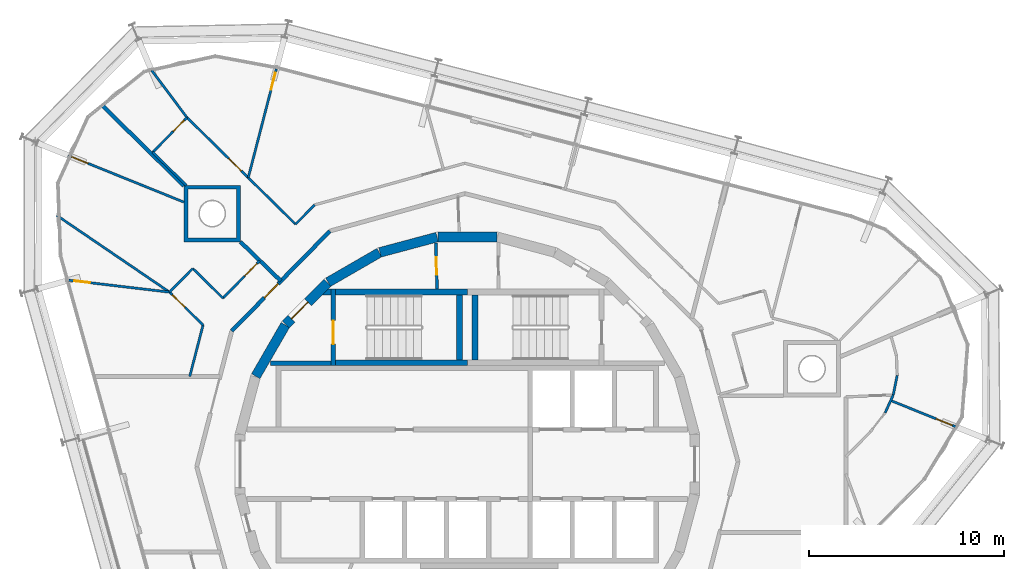
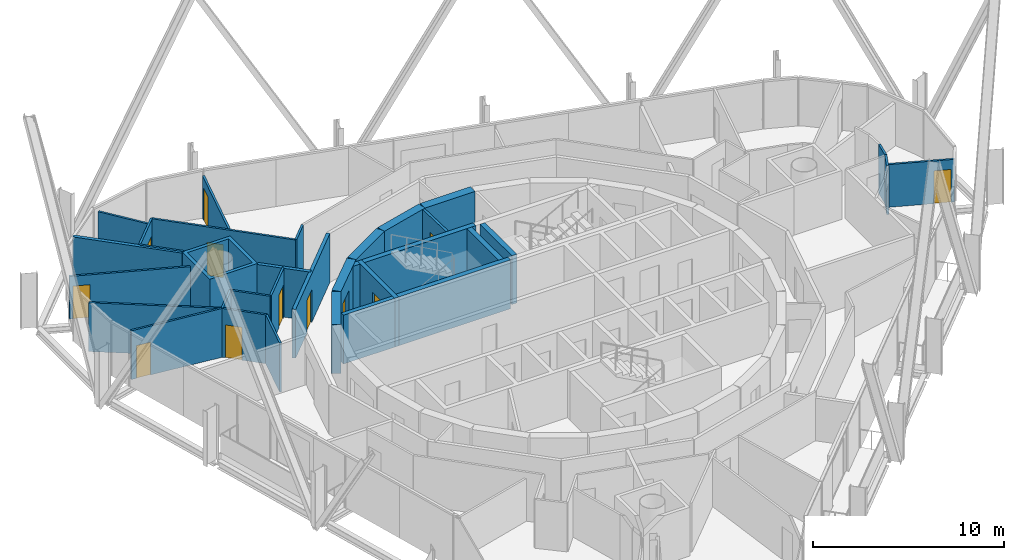
# One storey, part 12 of 15: 34 walls, 12 doors, 12 openings.
"""IFC4 building model written with IfcOpenShell, lengths in metres."""

from ifc_helpers import new_model, si_unit, direction, frame, frame_2d, origin, place, context, subcontext, project, spatial, polyline, rectangle, outline, extrude, material, layer, layer_set, type_object, element, fill, save


model = new_model("IFC4")

# Units and contexts
model_context = context("Model", 3, precision=1e-05, world=origin(), true_north=direction((0.0, 1.0)))
body_context = subcontext(model_context, "Body", "Model", "MODEL_VIEW")
ifc_project = project(units=[si_unit("LENGTHUNIT", "METRE"), si_unit("AREAUNIT", "SQUARE_METRE"), si_unit("VOLUMEUNIT", "CUBIC_METRE"), si_unit("PLANEANGLEUNIT", "RADIAN"), si_unit("MASSUNIT", "GRAM", prefix="KILO")], contexts=[model_context])

# Site, building, storey
site_placement = place(None, origin())
site = spatial("IfcSite", under=ifc_project, at=site_placement, CompositionType="ELEMENT")
building_placement = place(site_placement, origin())
building = spatial("IfcBuilding", under=site, at=building_placement, Name="Spindle Arch Residences", CompositionType="ELEMENT")
storey_placement = place(building_placement, frame((0.0, 0.0, 312.199951171875)))
storey = spatial("IfcBuildingStorey", under=building, at=storey_placement, Name="L80", CompositionType="ELEMENT", Elevation=312.199951171875)

# Walls
ifc_material_1 = material(Name="Concrete C50/60", Category="concrete")
ifc_layer_1 = layer(ifc_material_1, 0.5)
ifc_layer_set_1 = layer_set([ifc_layer_1], Name="Core outline wall 500")
wall_type_1 = type_object("IfcWallType", Name="Core outline wall 500", PredefinedType="SHEAR", material=ifc_layer_set_1)
for number, where, z_axis, x_axis, name in (
    (1, (1.516357421875, 11.647216796875, 0.0), (0.0, 0.0, 1.0), (-1.0, 0.0, 0.0), "Core outline wall 12"),
    (2, (-1.5498046875, 11.642822265625, 0.0), (0.0, 0.0, 1.0), (-0.965948410781, -0.258734743916, 0.0), "Core outline wall 13"),
    (3, (-4.510498046875, 10.84521484375, 0.0), (0.0, 0.0, 1.0), (-0.865975092491, -0.500087131594, 0.0), "Core outline wall 14"),
):
    element("IfcWall", number, at=place(storey_placement, frame(where, z_axis=z_axis, x_axis=x_axis)), inside=storey, type_object=wall_type_1, Name=name, PredefinedType="SHEAR", context=body_context, shape_type="SweptSolid", body=[
        extrude(rectangle(XDim=3.03271484375, YDim=0.5, at=frame_2d((1.516357421875, 0.0))), origin(), (0.0, 0.0, 1.0), 3.1201171875),
    ])

# Wall, opening, door
wall_1_placement = place(storey_placement, frame((-7.163818359375, 9.30810546875, 0.0), z_axis=(0.0, 0.0, 1.0), x_axis=(-0.707106781187, -0.707106781187, 0.0)))
wall_1 = element("IfcWall", 4, at=wall_1_placement, inside=storey, type_object=wall_type_1, Name="Core outline wall 15", PredefinedType="SHEAR", context=body_context, shape_type="SweptSolid", body=[
    extrude(rectangle(XDim=3.032470703125, YDim=0.5, at=frame_2d((1.51611328125, 0.0))), origin(), (0.0, 0.0, 1.0), 3.1201171875),
])
opening_1_placement = place(wall_1_placement, frame((1.416259765625, 0.0, 0.0)))
opening_1 = element("IfcOpeningElement", 5, at=opening_1_placement, cuts=wall_1, Name="Opening R8B0-AD02", PredefinedType="OPENING", context=body_context, shape_type="SweptSolid", body=[
    extrude(rectangle(XDim=1.199951171875, YDim=2.10009765625, at=frame_2d((0.60009765625, 1.050048828125))), frame((0.0, 0.260009765625, 0.0), z_axis=(0.0, -1.0, 0.0), x_axis=(1.0, 0.0, 0.0)), (0.0, 0.0, 1.0), 0.52001953125),
])
ifc_material_2 = material(Name="Steel, fire-resisting door", Category="steel")
door_type_1 = type_object("IfcDoorType", Name="Stair airlock door 1200x2100", OperationType="SINGLE_SWING_LEFT", PredefinedType="DOOR", material=ifc_material_2)
door_1_placement = place(opening_1_placement, origin())
door_1 = element("IfcDoor", 6, at=door_1_placement, inside=storey, type_object=door_type_1, Name="Stair airlock door R8B0-AD02", OperationType="SINGLE_SWING_RIGHT", OverallHeight=2.10009765625, OverallWidth=1.199951171875, PredefinedType="DOOR", context=body_context, shape_type="SweptSolid", body=[
    extrude(rectangle(XDim=1.199951171875, YDim=2.10009765625, at=frame_2d((0.60009765625, 1.050048828125))), frame((0.0, 0.02490234375, 0.0), z_axis=(0.0, -1.0, 0.0), x_axis=(1.0, 0.0, 0.0)), (0.0, 0.0, 1.0), 0.050048828125),
])
fill(opening_1, door_1)

# Wall
wall_2_placement = place(storey_placement, frame((-9.32861328125, 7.13671875, 0.0), z_axis=(0.0, 0.0, 1.0), x_axis=(-0.500087131594, -0.865975092491, 0.0)))
element("IfcWall", 7, at=wall_2_placement, inside=storey, type_object=wall_type_1, Name="Core outline wall 16", PredefinedType="SHEAR", context=body_context, shape_type="SweptSolid", body=[
    extrude(rectangle(XDim=3.03271484375, YDim=0.5, at=frame_2d((1.516357421875, 0.0))), origin(), (0.0, 0.0, 1.0), 3.1201171875),
])

# Wall, opening, door
ifc_material_3 = material(Name="Calcium silicate block, plastered")
ifc_layer_2 = layer(ifc_material_3, 0.199951171875)
ifc_layer_set_2 = layer_set([ifc_layer_2], Name="Corridor wall 200")
wall_type_2 = type_object("IfcWallType", Name="Corridor wall 200", PredefinedType="STANDARD", material=ifc_layer_set_2)
wall_3_placement = place(storey_placement, frame((-7.041015625, 11.953125, 0.0), z_axis=(0.0, 0.0, 1.0), x_axis=(-0.70090916255, -0.713250549143, 0.0)))
wall_3 = element("IfcWall", 8, at=wall_3_placement, inside=storey, type_object=wall_type_2, Name="Corridor wall R8B0-W012", PredefinedType="STANDARD", context=body_context, shape_type="SweptSolid", body=[
    extrude(rectangle(XDim=7.180908203125, YDim=0.199951171875, at=frame_2d((3.59033203125, 0.0))), origin(), (0.0, 0.0, 1.0), 3.1201171875),
])
opening_2_placement = place(wall_3_placement, frame((3.79052734375, 0.0, 0.0)))
opening_2 = element("IfcOpeningElement", 9, at=opening_2_placement, cuts=wall_3, Name="Opening R8B0-FD03", PredefinedType="OPENING", context=body_context, shape_type="SweptSolid", body=[
    extrude(rectangle(XDim=1.0, YDim=2.10009765625, at=frame_2d((0.5, 1.050048828125))), frame((0.0, 0.10986328125, 0.0), z_axis=(0.0, -1.0, 0.0), x_axis=(1.0, 0.0, 0.0)), (0.0, 0.0, 1.0), 0.219970703125),
])
ifc_material_4 = material(Name="Timber, fire-resisting door set", Category="wood")
door_type_2 = type_object("IfcDoorType", Name="Flat entrance door 1000x2100", OperationType="NOTDEFINED", PredefinedType="DOOR", material=ifc_material_4)
door_2_placement = place(opening_2_placement, origin())
door_2 = element("IfcDoor", 10, at=door_2_placement, inside=storey, type_object=door_type_2, Name="Flat entrance door R8B0-FD03", OperationType="SINGLE_SWING_LEFT", OverallHeight=2.10009765625, OverallWidth=1.0, PredefinedType="DOOR", context=body_context, shape_type="SweptSolid", body=[
    extrude(rectangle(XDim=1.0, YDim=2.10009765625, at=frame_2d((0.5, 1.050048828125))), frame((0.0, 0.02490234375, 0.0), z_axis=(0.0, -1.0, 0.0), x_axis=(1.0, 0.0, 0.0)), (0.0, 0.0, 1.0), 0.050048828125),
])
fill(opening_2, door_2)

# Wall
ifc_material_5 = material(Name="Plasterboard on steel studs", Category="steel")
ifc_layer_3 = layer(ifc_material_5, 0.1201171875)
ifc_layer_set_3 = layer_set([ifc_layer_3], Name="Flat partition 120")
wall_type_3 = type_object("IfcWallType", Name="Flat partition 120", PredefinedType="PARTITIONING", material=ifc_layer_set_3)
wall_4_placement = place(storey_placement, frame((-7.8291015625, 13.291259765625, 0.0), z_axis=(0.0, 0.0, 1.0), x_axis=(-0.700840583087, -0.713317935494, 0.0)))
element("IfcWall", 11, at=wall_4_placement, inside=storey, type_object=wall_type_3, Name="Flat partition R8B0-W043", PredefinedType="PARTITIONING", context=body_context, shape_type="SweptSolid", body=[
    extrude(rectangle(XDim=1.38916015625, YDim=0.1201171875, at=frame_2d((0.694580078125, 0.0))), origin(), (0.0, 0.0, 1.0), 3.1201171875),
])

# Wall, opening, door
wall_5_placement = place(storey_placement, frame((-8.802734375, 12.30029296875, 0.0), z_axis=(0.0, 0.0, 1.0), x_axis=(-0.713240430861, 0.700919458844, 0.0)))
wall_5 = element("IfcWall", 12, at=wall_5_placement, inside=storey, type_object=wall_type_3, Name="Flat partition R8B0-W044", PredefinedType="PARTITIONING", context=body_context, shape_type="SweptSolid", body=[
    extrude(rectangle(XDim=7.80712890625, YDim=0.1201171875, at=frame_2d((3.903564453125, 0.0))), origin(), (0.0, 0.0, 1.0), 3.1201171875),
])
opening_3_placement = place(wall_5_placement, frame((3.901123046875, 0.0, 0.0)))
opening_3 = element("IfcOpeningElement", 13, at=opening_3_placement, cuts=wall_5, Name="Opening R8B0-ID07", PredefinedType="OPENING", context=body_context, shape_type="SweptSolid", body=[
    extrude(rectangle(XDim=0.89990234375, YDim=2.10009765625, at=frame_2d((0.449951171875, 1.050048828125))), frame((0.0, 0.070068359375, 0.0), z_axis=(0.0, -1.0, 0.0), x_axis=(1.0, 0.0, 0.0)), (0.0, 0.0, 1.0), 0.14013671875),
])
ifc_material_6 = material(Name="Timber door set", Category="wood")
door_type_3 = type_object("IfcDoorType", Name="Room door 900x2100", OperationType="NOTDEFINED", PredefinedType="DOOR", material=ifc_material_6)
door_3_placement = place(opening_3_placement, origin())
door_3 = element("IfcDoor", 14, at=door_3_placement, inside=storey, type_object=door_type_3, Name="Room door R8B0-ID07", OperationType="SINGLE_SWING_LEFT", OverallHeight=2.10009765625, OverallWidth=0.89990234375, PredefinedType="DOOR", context=body_context, shape_type="SweptSolid", body=[
    extrude(rectangle(XDim=0.89990234375, YDim=2.10009765625, at=frame_2d((0.449951171875, 1.050048828125))), frame((0.0, 0.02490234375, 0.0), z_axis=(0.0, -1.0, 0.0), x_axis=(1.0, 0.0, 0.0)), (0.0, 0.0, 1.0), 0.050048828125),
])
fill(opening_3, door_3)

wall_6_placement = place(storey_placement, frame((-14.37109375, 17.7724609375, 0.0), z_axis=(0.0, 0.0, 1.0), x_axis=(-0.700928101034, -0.713231937859, 0.0)))
wall_6 = element("IfcWall", 15, at=wall_6_placement, inside=storey, type_object=wall_type_3, Name="Flat partition R8B0-W045", PredefinedType="PARTITIONING", context=body_context, shape_type="SweptSolid", body=[
    extrude(rectangle(XDim=2.500244140625, YDim=0.1201171875, at=frame_2d((1.25, 0.0))), origin(), (0.0, 0.0, 1.0), 3.1201171875),
])
opening_4_placement = place(wall_6_placement, frame((0.199951171875, 0.0, 0.0)))
opening_4 = element("IfcOpeningElement", 16, at=opening_4_placement, cuts=wall_6, Name="Opening R8B0-BD02", PredefinedType="OPENING", context=body_context, shape_type="SweptSolid", body=[
    extrude(rectangle(XDim=0.800048828125, YDim=2.10009765625, at=frame_2d((0.39990234375, 1.050048828125))), frame((0.0, 0.070068359375, 0.0), z_axis=(0.0, -1.0, 0.0), x_axis=(1.0, 0.0, 0.0)), (0.0, 0.0, 1.0), 0.14013671875),
])
ifc_material_7 = material(Name="Timber door set", Category="wood")
door_type_4 = type_object("IfcDoorType", Name="Bathroom door 800x2100", OperationType="NOTDEFINED", PredefinedType="DOOR", material=ifc_material_7)
door_4_placement = place(opening_4_placement, origin())
door_4 = element("IfcDoor", 17, at=door_4_placement, inside=storey, type_object=door_type_4, Name="Bathroom door R8B0-BD02", OperationType="SINGLE_SWING_RIGHT", OverallHeight=2.10009765625, OverallWidth=0.800048828125, PredefinedType="DOOR", context=body_context, shape_type="SweptSolid", body=[
    extrude(rectangle(XDim=0.800048828125, YDim=2.10009765625, at=frame_2d((0.39990234375, 1.050048828125))), frame((0.0, 0.02490234375, 0.0), z_axis=(0.0, -1.0, 0.0), x_axis=(1.0, 0.0, 0.0)), (0.0, 0.0, 1.0), 0.050048828125),
])
fill(opening_4, door_4)

# Wall
wall_7_placement = place(storey_placement, frame((-16.12353515625, 15.9892578125, 0.0), z_axis=(0.0, 0.0, 1.0), x_axis=(0.713298294795, -0.700860572898, 0.0)))
element("IfcWall", 18, at=wall_7_placement, inside=storey, type_object=wall_type_3, Name="Flat partition R8B0-W046", PredefinedType="PARTITIONING", context=body_context, shape_type="SweptSolid", body=[
    extrude(rectangle(XDim=2.414306640625, YDim=0.1201171875, at=frame_2d((1.20703125, 0.0))), origin(), (0.0, 0.0, 1.0), 3.1201171875),
])

# Wall, opening, door
wall_8_placement = place(storey_placement, frame((-10.64208984375, 10.4287109375, 0.0), z_axis=(0.0, 0.0, 1.0), x_axis=(-0.700897237058, -0.713262268092, 0.0)))
wall_8 = element("IfcWall", 19, at=wall_8_placement, inside=storey, type_object=wall_type_3, Name="Flat partition R8B0-W051", PredefinedType="PARTITIONING", context=body_context, shape_type="SweptSolid", body=[
    extrude(rectangle(XDim=2.685302734375, YDim=0.1201171875, at=frame_2d((1.3427734375, 0.0))), origin(), (0.0, 0.0, 1.0), 3.1201171875),
])
opening_5_placement = place(wall_8_placement, frame((0.199951171875, 0.0, 0.0)))
opening_5 = element("IfcOpeningElement", 20, at=opening_5_placement, cuts=wall_8, Name="Opening R8B0-ID09", PredefinedType="OPENING", context=body_context, shape_type="SweptSolid", body=[
    extrude(rectangle(XDim=0.89990234375, YDim=2.10009765625, at=frame_2d((0.449951171875, 1.050048828125))), frame((0.0, 0.070068359375, 0.0), z_axis=(0.0, -1.0, 0.0), x_axis=(1.0, 0.0, 0.0)), (0.0, 0.0, 1.0), 0.14013671875),
])
door_5_placement = place(opening_5_placement, origin())
door_5 = element("IfcDoor", 21, at=door_5_placement, inside=storey, type_object=door_type_3, Name="Room door R8B0-ID09", OperationType="SINGLE_SWING_LEFT", OverallHeight=2.10009765625, OverallWidth=0.89990234375, PredefinedType="DOOR", context=body_context, shape_type="SweptSolid", body=[
    extrude(rectangle(XDim=0.89990234375, YDim=2.10009765625, at=frame_2d((0.449951171875, 1.050048828125))), frame((0.0, 0.02490234375, 0.0), z_axis=(0.0, -1.0, 0.0), x_axis=(1.0, 0.0, 0.0)), (0.0, 0.0, 1.0), 0.050048828125),
])
fill(opening_5, door_5)

# Walls
wall_9_placement = place(storey_placement, frame((-12.524169921875, 8.513427734375, 0.0), z_axis=(0.0, 0.0, 1.0), x_axis=(-0.713272241211, 0.700887087852, 0.0)))
element("IfcWall", 22, at=wall_9_placement, inside=storey, type_object=wall_type_3, Name="Flat partition R8B0-W052", PredefinedType="PARTITIONING", context=body_context, shape_type="SweptSolid", body=[
    extrude(rectangle(XDim=2.16845703125, YDim=0.1201171875, at=frame_2d((1.084228515625, 0.0))), origin(), (0.0, 0.0, 1.0), 3.1201171875),
])
wall_10_placement = place(storey_placement, frame((-14.07080078125, 10.033203125, 0.0), z_axis=(0.0, 0.0, 1.0), x_axis=(-0.700903812832, -0.713255806255, 0.0)))
element("IfcWall", 23, at=wall_10_placement, inside=storey, type_object=wall_type_3, Name="Flat partition R8B0-W053", PredefinedType="PARTITIONING", context=body_context, shape_type="SweptSolid", body=[
    extrude(rectangle(XDim=1.69970703125, YDim=0.1201171875, at=frame_2d((0.849853515625, 0.0))), origin(), (0.0, 0.0, 1.0), 3.1201171875),
])

# Wall, opening, door
wall_11_placement = place(storey_placement, frame((-15.26220703125, 8.82080078125, 0.0), z_axis=(0.0, 0.0, 1.0), x_axis=(0.713216332019, -0.700943980459, 0.0)))
wall_11 = element("IfcWall", 24, at=wall_11_placement, inside=storey, type_object=wall_type_3, Name="Flat partition R8B0-W054", PredefinedType="PARTITIONING", context=body_context, shape_type="SweptSolid", body=[
    extrude(rectangle(XDim=2.4072265625, YDim=0.1201171875, at=frame_2d((1.20361328125, 0.0))), origin(), (0.0, 0.0, 1.0), 3.1201171875),
])
opening_6_placement = place(wall_11_placement, frame((0.199951171875, 0.0, 0.0)))
opening_6 = element("IfcOpeningElement", 25, at=opening_6_placement, cuts=wall_11, Name="Opening R8B0-ID10", PredefinedType="OPENING", context=body_context, shape_type="SweptSolid", body=[
    extrude(rectangle(XDim=0.89990234375, YDim=2.10009765625, at=frame_2d((0.449951171875, 1.050048828125))), frame((0.0, 0.070068359375, 0.0), z_axis=(0.0, -1.0, 0.0), x_axis=(1.0, 0.0, 0.0)), (0.0, 0.0, 1.0), 0.14013671875),
])
door_6_placement = place(opening_6_placement, origin())
door_6 = element("IfcDoor", 26, at=door_6_placement, inside=storey, type_object=door_type_3, Name="Room door R8B0-ID10", OperationType="SINGLE_SWING_LEFT", OverallHeight=2.10009765625, OverallWidth=0.89990234375, PredefinedType="DOOR", context=body_context, shape_type="SweptSolid", body=[
    extrude(rectangle(XDim=0.89990234375, YDim=2.10009765625, at=frame_2d((0.449951171875, 1.050048828125))), frame((0.0, 0.02490234375, 0.0), z_axis=(0.0, -1.0, 0.0), x_axis=(1.0, 0.0, 0.0)), (0.0, 0.0, 1.0), 0.050048828125),
])
fill(opening_6, door_6)

# Walls
wall_12_placement = place(storey_placement, frame((-13.54541015625, 7.133544921875, 0.0), z_axis=(0.0, 0.0, 1.0), x_axis=(-0.250320452157, -0.968163039592, 0.0)))
element("IfcWall", 27, at=wall_12_placement, inside=storey, type_object=wall_type_3, Name="Flat partition R8B0-W055", PredefinedType="PARTITIONING", context=body_context, shape_type="SweptSolid", body=[
    extrude(rectangle(XDim=2.72021484375, YDim=0.1201171875, at=frame_2d((1.360107421875, 0.0))), origin(), (0.0, 0.0, 1.0), 3.1201171875),
])
wall_13_placement = place(storey_placement, frame((-21.05078125, 12.760009765625, 0.0), z_axis=(0.0, 0.0, 1.0), x_axis=(0.826728647395, -0.562600874134, 0.0)))
element("IfcWall", 28, at=wall_13_placement, inside=storey, type_object=wall_type_3, Name="Flat partition R8B0-W057", PredefinedType="PARTITIONING", context=body_context, shape_type="SweptSolid", body=[
    extrude(rectangle(XDim=7.001708984375, YDim=0.1201171875, at=frame_2d((3.5009765625, 0.0))), origin(), (0.0, 0.0, 1.0), 3.1201171875),
])

# Wall, opening, door
wall_14_placement = place(storey_placement, frame((-20.427978515625, 9.431396484375, 0.0), z_axis=(0.0, 0.0, 1.0), x_axis=(0.993086702471, -0.117383139226, 0.0)))
wall_14 = element("IfcWall", 29, at=wall_14_placement, inside=storey, type_object=wall_type_3, Name="Flat partition R8B0-W058", PredefinedType="PARTITIONING", context=body_context, shape_type="SweptSolid", body=[
    extrude(rectangle(XDim=5.20166015625, YDim=0.1201171875, at=frame_2d((2.600830078125, 0.0))), origin(), (0.0, 0.0, 1.0), 3.1201171875),
])
opening_7_placement = place(wall_14_placement, frame((0.300048828125, 0.0, 0.0)))
opening_7 = element("IfcOpeningElement", 30, at=opening_7_placement, cuts=wall_14, Name="Opening R8B0-BD03", PredefinedType="OPENING", context=body_context, shape_type="SweptSolid", body=[
    extrude(rectangle(XDim=0.800048828125, YDim=2.10009765625, at=frame_2d((0.39990234375, 1.050048828125))), frame((0.0, 0.070068359375, 0.0), z_axis=(0.0, -1.0, 0.0), x_axis=(1.0, 0.0, 0.0)), (0.0, 0.0, 1.0), 0.14013671875),
])
door_7_placement = place(opening_7_placement, origin())
door_7 = element("IfcDoor", 31, at=door_7_placement, inside=storey, type_object=door_type_4, Name="Bathroom door R8B0-BD03", OperationType="SINGLE_SWING_LEFT", OverallHeight=2.10009765625, OverallWidth=0.800048828125, PredefinedType="DOOR", context=body_context, shape_type="SweptSolid", body=[
    extrude(rectangle(XDim=0.800048828125, YDim=2.10009765625, at=frame_2d((0.39990234375, 1.050048828125))), frame((0.0, 0.02490234375, 0.0), z_axis=(0.0, -1.0, 0.0), x_axis=(1.0, 0.0, 0.0)), (0.0, 0.0, 1.0), 0.050048828125),
])
fill(opening_7, door_7)

# Walls
wall_15_placement = place(storey_placement, frame((21.827880859375, 3.558349609375, 0.0), z_axis=(0.0, 0.0, 1.0), x_axis=(-0.414726005229, -0.909946339399, 0.0)))
element("IfcWall", 32, at=wall_15_placement, inside=storey, type_object=wall_type_3, Name="Flat partition R8B0-W079", PredefinedType="PARTITIONING", context=body_context, shape_type="SweptSolid", body=[
    extrude(rectangle(XDim=1.01611328125, YDim=0.1201171875, at=frame_2d((0.508056640625, 0.0))), origin(), (0.0, 0.0, 1.0), 3.1201171875),
])
wall_16_placement = place(storey_placement, frame((22.024658203125, 4.554931640625, 0.0), z_axis=(0.0, 0.0, 1.0), x_axis=(-0.193712169286, -0.981058405739, 0.0)))
element("IfcWall", 33, at=wall_16_placement, inside=storey, type_object=wall_type_3, Name="Flat partition R8B0-W086", PredefinedType="PARTITIONING", context=body_context, shape_type="SweptSolid", body=[
    extrude(rectangle(XDim=1.015869140625, YDim=0.1201171875, at=frame_2d((0.5078125, 0.0))), origin(), (0.0, 0.0, 1.0), 3.1201171875),
])

# Wall, opening, door
ifc_material_8 = material(Name="Plasterboard on steel studs", Category="steel")
ifc_layer_4 = layer(ifc_material_8, 0.1201171875)
ifc_layer_set_4 = layer_set([ifc_layer_4], Name="Flat partition 120 under beam 2730")
wall_type_4 = type_object("IfcWallType", Name="Flat partition 120 under beam 2730", PredefinedType="PARTITIONING", material=ifc_layer_set_4)
wall_17_placement = place(storey_placement, frame((-9.78662109375, 20.26025390625, 0.0), z_axis=(0.0, 0.0, 1.0), x_axis=(-0.250397207818, -0.968143191019, 0.0)))
wall_17 = element("IfcWall", 34, at=wall_17_placement, inside=storey, type_object=wall_type_4, Name="Flat partition R8B0-W049", PredefinedType="PARTITIONING", context=body_context, shape_type="SweptSolid", body=[
    extrude(rectangle(XDim=5.759521484375, YDim=0.1201171875, at=frame_2d((2.8798828125, 0.0))), origin(), (0.0, 0.0, 1.0), 2.72998046875),
])
opening_8_placement = place(wall_17_placement, frame((0.199951171875, 0.0, 0.0)))
opening_8 = element("IfcOpeningElement", 35, at=opening_8_placement, cuts=wall_17, Name="Opening R8B0-ID08", PredefinedType="OPENING", context=body_context, shape_type="SweptSolid", body=[
    extrude(rectangle(XDim=0.89990234375, YDim=2.10009765625, at=frame_2d((0.449951171875, 1.050048828125))), frame((0.0, 0.070068359375, 0.0), z_axis=(0.0, -1.0, 0.0), x_axis=(1.0, 0.0, 0.0)), (0.0, 0.0, 1.0), 0.14013671875),
])
door_8_placement = place(opening_8_placement, origin())
door_8 = element("IfcDoor", 36, at=door_8_placement, inside=storey, type_object=door_type_3, Name="Room door R8B0-ID08", OperationType="SINGLE_SWING_RIGHT", OverallHeight=2.10009765625, OverallWidth=0.89990234375, PredefinedType="DOOR", context=body_context, shape_type="SweptSolid", body=[
    extrude(rectangle(XDim=0.89990234375, YDim=2.10009765625, at=frame_2d((0.449951171875, 1.050048828125))), frame((0.0, 0.02490234375, 0.0), z_axis=(0.0, -1.0, 0.0), x_axis=(1.0, 0.0, 0.0)), (0.0, 0.0, 1.0), 0.050048828125),
])
fill(opening_8, door_8)

# Wall
wall_18_placement = place(storey_placement, frame((-16.177490234375, 20.183837890625, 0.0), z_axis=(0.0, 0.0, 1.0), x_axis=(0.599546131574, -0.800340200237, 0.0)))
element("IfcWall", 37, at=wall_18_placement, inside=storey, type_object=wall_type_4, Name="Flat partition R8B0-W050", PredefinedType="PARTITIONING", context=body_context, shape_type="SweptSolid", body=[
    extrude(rectangle(XDim=3.012939453125, YDim=0.1201171875, at=frame_2d((1.50634765625, 0.0))), origin(), (0.0, 0.0, 1.0), 2.72998046875),
])

# Wall, opening, door
wall_19_placement = place(storey_placement, frame((-20.46044921875, 15.83056640625, 0.0), z_axis=(0.0, 0.0, 1.0), x_axis=(0.927230380144, -0.374491417977, 0.0)))
wall_19 = element("IfcWall", 38, at=wall_19_placement, inside=storey, type_object=wall_type_4, Name="Flat partition R8B0-W056", PredefinedType="PARTITIONING", context=body_context, shape_type="SweptSolid", body=[
    extrude(rectangle(XDim=6.4033203125, YDim=0.1201171875, at=frame_2d((3.20166015625, 0.0))), origin(), (0.0, 0.0, 1.0), 2.72998046875),
])
opening_9_placement = place(wall_19_placement, frame((0.199951171875, 0.0, 0.0)))
opening_9 = element("IfcOpeningElement", 39, at=opening_9_placement, cuts=wall_19, Name="Opening R8B0-ID11", PredefinedType="OPENING", context=body_context, shape_type="SweptSolid", body=[
    extrude(rectangle(XDim=0.89990234375, YDim=2.10009765625, at=frame_2d((0.449951171875, 1.050048828125))), frame((0.0, 0.070068359375, 0.0), z_axis=(0.0, -1.0, 0.0), x_axis=(1.0, 0.0, 0.0)), (0.0, 0.0, 1.0), 0.14013671875),
])
door_9_placement = place(opening_9_placement, origin())
door_9 = element("IfcDoor", 40, at=door_9_placement, inside=storey, type_object=door_type_3, Name="Room door R8B0-ID11", OperationType="SINGLE_SWING_LEFT", OverallHeight=2.10009765625, OverallWidth=0.89990234375, PredefinedType="DOOR", context=body_context, shape_type="SweptSolid", body=[
    extrude(rectangle(XDim=0.89990234375, YDim=2.10009765625, at=frame_2d((0.449951171875, 1.050048828125))), frame((0.0, 0.02490234375, 0.0), z_axis=(0.0, -1.0, 0.0), x_axis=(1.0, 0.0, 0.0)), (0.0, 0.0, 1.0), 0.050048828125),
])
fill(opening_9, door_9)

wall_20_placement = place(storey_placement, frame((25.0361328125, 1.917236328125, 0.0), z_axis=(0.0, 0.0, 1.0), x_axis=(-0.927096540393, 0.374822631108, 0.0)))
wall_20 = element("IfcWall", 41, at=wall_20_placement, inside=storey, type_object=wall_type_4, Name="Flat partition R8B0-W082", PredefinedType="PARTITIONING", context=body_context, shape_type="SweptSolid", body=[
    extrude(rectangle(XDim=3.603271484375, YDim=0.1201171875, at=frame_2d((1.8017578125, 0.0))), origin(), (0.0, 0.0, 1.0), 2.72998046875),
])
opening_10_placement = place(wall_20_placement, frame((0.199951171875, 0.0, 0.0)))
opening_10 = element("IfcOpeningElement", 42, at=opening_10_placement, cuts=wall_20, Name="Opening R8B0-ID21", PredefinedType="OPENING", context=body_context, shape_type="SweptSolid", body=[
    extrude(rectangle(XDim=0.89990234375, YDim=2.10009765625, at=frame_2d((0.449951171875, 1.050048828125))), frame((0.0, 0.070068359375, 0.0), z_axis=(0.0, -1.0, 0.0), x_axis=(1.0, 0.0, 0.0)), (0.0, 0.0, 1.0), 0.14013671875),
])
door_10_placement = place(opening_10_placement, origin())
door_10 = element("IfcDoor", 43, at=door_10_placement, inside=storey, type_object=door_type_3, Name="Room door R8B0-ID21", OperationType="SINGLE_SWING_RIGHT", OverallHeight=2.10009765625, OverallWidth=0.89990234375, PredefinedType="DOOR", context=body_context, shape_type="SweptSolid", body=[
    extrude(rectangle(XDim=0.89990234375, YDim=2.10009765625, at=frame_2d((0.449951171875, 1.050048828125))), frame((0.0, 0.02490234375, 0.0), z_axis=(0.0, -1.0, 0.0), x_axis=(1.0, 0.0, 0.0)), (0.0, 0.0, 1.0), 0.050048828125),
])
fill(opening_10, door_10)

# Walls
ifc_material_9 = material(Name="Calcium silicate block, plastered")
ifc_layer_5 = layer(ifc_material_9, 0.199951171875)
ifc_layer_set_5 = layer_set([ifc_layer_5], Name="Flat party wall 200")
wall_type_5 = type_object("IfcWallType", Name="Flat party wall 200", PredefinedType="STANDARD", material=ifc_layer_set_5)
wall_21_placement = place(storey_placement, frame((-11.627197265625, 11.396484375, 0.0), z_axis=(0.0, 0.0, 1.0), x_axis=(0.718328882961, -0.695703683981, 0.0)))
element("IfcWall", 44, at=wall_21_placement, inside=storey, type_object=wall_type_5, Name="Flat party wall R8B0-W024", PredefinedType="STANDARD", context=body_context, shape_type="SweptSolid", body=[
    extrude(rectangle(XDim=2.881103515625, YDim=0.199951171875, at=frame_2d((1.4404296875, 0.0))), origin(), (0.0, 0.0, 1.0), 3.1201171875),
])
wall_22_placement = place(storey_placement, frame((-18.74072265625, 18.41650390625, 0.0), z_axis=(0.0, 0.0, 1.0), x_axis=(0.713252414586, -0.700907264256, 0.0)))
element("IfcWall", 45, at=wall_22_placement, inside=storey, type_object=wall_type_5, Name="Flat party wall R8B0-W025", PredefinedType="STANDARD", context=body_context, shape_type="SweptSolid", body=[
    extrude(rectangle(XDim=5.9130859375, YDim=0.199951171875, at=frame_2d((2.95654296875, 0.0))), origin(), (0.0, 0.0, 1.0), 3.1201171875),
])
ifc_material_10 = material(Name="Calcium silicate block, plastered")
ifc_layer_6 = layer(ifc_material_10, 0.199951171875)
ifc_layer_set_6 = layer_set([ifc_layer_6], Name="Mega-column casing wall 200")
wall_type_6 = type_object("IfcWallType", Name="Mega-column casing wall 200", PredefinedType="STANDARD", material=ifc_layer_set_6)
wall_23_placement = place(storey_placement, origin())
element("IfcWall", 46, at=wall_23_placement, inside=storey, type_object=wall_type_6, Name="Mega-column casing wall R8B0-WC02", PredefinedType="STANDARD", context=body_context, shape_type="SweptSolid", body=[
    extrude(outline(polyline([(-11.623291015625, 14.297119140625), (-11.623291015625, 11.397216796875), (-14.523193359375, 11.397216796875), (-14.523193359375, 14.297119140625), (-11.623291015625, 14.297119140625)]), holes=[polyline([(-14.3232421875, 11.59716796875), (-11.8232421875, 11.59716796875), (-11.8232421875, 14.09716796875), (-14.3232421875, 14.09716796875), (-14.3232421875, 11.59716796875)])]), origin(), (0.0, 0.0, 1.0), 3.1201171875),
])

# Wall, opening, door
ifc_material_11 = material(Name="Concrete C25/30", Category="concrete")
ifc_layer_7 = layer(ifc_material_11, 0.14990234375)
ifc_layer_set_7 = layer_set([ifc_layer_7], Name="Service room partition 150")
wall_type_7 = type_object("IfcWallType", Name="Service room partition 150", PredefinedType="PARTITIONING", material=ifc_layer_set_7)
wall_24_placement = place(storey_placement, frame((-1.555419921875, 8.989990234375, 0.0), z_axis=(0.0, 0.0, 1.0), x_axis=(-0.024125549686, 0.999708936567, 0.0)))
wall_24 = element("IfcWall", 47, at=wall_24_placement, inside=storey, type_object=wall_type_7, Name="Core service room partition", PredefinedType="PARTITIONING", context=body_context, shape_type="SweptSolid", body=[
    extrude(rectangle(XDim=2.35791015625, YDim=0.14990234375, at=frame_2d((1.178955078125, 0.0))), origin(), (0.0, 0.0, 1.0), 3.1201171875),
])
opening_11_placement = place(wall_24_placement, frame((0.72900390625, 0.0, 0.0)))
opening_11 = element("IfcOpeningElement", 48, at=opening_11_placement, cuts=wall_24, Name="Opening R8B0-WD07", PredefinedType="OPENING", context=body_context, shape_type="SweptSolid", body=[
    extrude(rectangle(XDim=0.89990234375, YDim=2.10009765625, at=frame_2d((0.449951171875, 1.050048828125))), frame((0.0, 0.0849609375, 0.0), z_axis=(0.0, -1.0, 0.0), x_axis=(1.0, 0.0, 0.0)), (0.0, 0.0, 1.0), 0.169921875),
])
ifc_material_12 = material(Name="Steel, fire-resisting door", Category="steel")
door_type_5 = type_object("IfcDoorType", Name="Service room door 900x2100", OperationType="SINGLE_SWING_LEFT", PredefinedType="DOOR", material=ifc_material_12)
door_11_placement = place(opening_11_placement, origin())
door_11 = element("IfcDoor", 49, at=door_11_placement, inside=storey, type_object=door_type_5, Name="Service room door R8B0-WD07", OperationType="SINGLE_SWING_LEFT", OverallHeight=2.10009765625, OverallWidth=0.89990234375, PredefinedType="DOOR", context=body_context, shape_type="SweptSolid", body=[
    extrude(rectangle(XDim=0.89990234375, YDim=2.10009765625, at=frame_2d((0.449951171875, 1.050048828125))), frame((0.0, 0.02490234375, 0.0), z_axis=(0.0, -1.0, 0.0), x_axis=(1.0, 0.0, 0.0)), (0.0, 0.0, 1.0), 0.050048828125),
])
fill(opening_11, door_11)

# Walls
ifc_material_13 = material(Name="Concrete C40/50", Category="concrete")
ifc_layer_8 = layer(ifc_material_13, 0.25)
ifc_layer_set_8 = layer_set([ifc_layer_8], Name="Stair airlock wall 250")
wall_type_8 = type_object("IfcWallType", Name="Stair airlock wall 250", PredefinedType="SHEAR", material=ifc_layer_set_8)
wall_25_placement = place(storey_placement, frame((-7.0, 5.175048828125, 0.0), z_axis=(0.0, 0.0, 1.0), x_axis=(-1.0, 0.0, 0.0)))
element("IfcWall", 50, at=wall_25_placement, inside=storey, type_object=wall_type_8, Name="Stair ST-2 airlock wall S", PredefinedType="SHEAR", context=body_context, shape_type="SweptSolid", body=[
    extrude(rectangle(XDim=3.10009765625, YDim=0.25, at=frame_2d((1.550048828125, 0.0))), origin(), (0.0, 0.0, 1.0), 3.1201171875),
])
ifc_material_14 = material(Name="Concrete C40/50", Category="concrete")
wall_type_9 = type_object("IfcWallType", Name="Stair airlock wall profile", PredefinedType="SHEAR", material=ifc_material_14)
wall_26_placement = place(storey_placement, origin())
element("IfcWall", 51, at=wall_26_placement, inside=storey, type_object=wall_type_9, Name="Stair ST-2 airlock wall N", PredefinedType="SHEAR", context=body_context, shape_type="SweptSolid", body=[
    extrude(outline(polyline([(-7.148193359375, 8.969970703125), (-7.0, 8.969970703125), (-7.0, 8.669921875), (-7.4482421875, 8.669921875), (-7.148193359375, 8.969970703125)])), origin(), (0.0, 0.0, 1.0), 3.1201171875),
])

# Wall, opening, door
ifc_material_15 = material(Name="Concrete C50/60", Category="concrete")
ifc_layer_9 = layer(ifc_material_15, 0.25)
ifc_layer_set_9 = layer_set([ifc_layer_9], Name="Stair enclosure wall 250")
wall_type_10 = type_object("IfcWallType", Name="Stair enclosure wall 250", PredefinedType="SHEAR", material=ifc_layer_set_9)
wall_27_placement = place(storey_placement, frame((-6.875, 8.969970703125, 0.0), z_axis=(0.0, 0.0, 1.0), x_axis=(0.0, -1.0, 0.0)))
wall_27 = element("IfcWall", 52, at=wall_27_placement, inside=storey, type_object=wall_type_10, Name="Stair ST-2 door wall", PredefinedType="SHEAR", context=body_context, shape_type="SweptSolid", body=[
    extrude(rectangle(XDim=3.919921875, YDim=0.25, at=frame_2d((1.9599609375, 0.0))), origin(), (0.0, 0.0, 1.0), 3.1201171875),
])
opening_12_placement = place(wall_27_placement, frame((1.610107421875, 0.0, 0.0)))
opening_12 = element("IfcOpeningElement", 53, at=opening_12_placement, cuts=wall_27, Name="Opening R8B0-SD02", PredefinedType="OPENING", context=body_context, shape_type="SweptSolid", body=[
    extrude(rectangle(XDim=1.199951171875, YDim=2.10009765625, at=frame_2d((0.60009765625, 1.050048828125))), frame((0.0, 0.135009765625, 0.0), z_axis=(0.0, -1.0, 0.0), x_axis=(1.0, 0.0, 0.0)), (0.0, 0.0, 1.0), 0.27001953125),
])
ifc_material_16 = material(Name="Steel, fire-resisting door", Category="steel")
door_type_6 = type_object("IfcDoorType", Name="Stair door 1200x2100", OperationType="SINGLE_SWING_RIGHT", PredefinedType="DOOR", material=ifc_material_16)
door_12_placement = place(opening_12_placement, origin())
door_12 = element("IfcDoor", 54, at=door_12_placement, inside=storey, type_object=door_type_6, Name="Stair door R8B0-SD02", OperationType="SINGLE_SWING_LEFT", OverallHeight=2.10009765625, OverallWidth=1.199951171875, PredefinedType="DOOR", context=body_context, shape_type="SweptSolid", body=[
    extrude(rectangle(XDim=1.199951171875, YDim=2.10009765625, at=frame_2d((0.60009765625, 1.050048828125))), frame((0.0, 0.02490234375, 0.0), z_axis=(0.0, -1.0, 0.0), x_axis=(1.0, 0.0, 0.0)), (0.0, 0.0, 1.0), 0.050048828125),
])
fill(opening_12, door_12)

# Walls
ifc_material_17 = material(Name="Concrete C50/60", Category="concrete")
ifc_layer_10 = layer(ifc_material_17, 0.300048828125)
ifc_layer_set_10 = layer_set([ifc_layer_10], Name="Stair enclosure wall 300")
wall_type_11 = type_object("IfcWallType", Name="Stair enclosure wall 300", PredefinedType="SHEAR", material=ifc_layer_set_10)
wall_28_placement = place(storey_placement, frame((0.39990234375, 5.35009765625, 0.0), z_axis=(0.0, 0.0, 1.0), x_axis=(0.0, 1.0, 0.0)))
element("IfcWall", 55, at=wall_28_placement, inside=storey, type_object=wall_type_11, Name="Stair ST-1 enclosure wall F", PredefinedType="SHEAR", context=body_context, shape_type="SweptSolid", body=[
    extrude(rectangle(XDim=3.31982421875, YDim=0.300048828125, at=frame_2d((1.659912109375, 0.0))), origin(), (0.0, 0.0, 1.0), 3.1201171875),
])
for number, where, z_axis, x_axis, name in (
    (56, (-6.75, 5.199951171875, 0.0), (0.0, 0.0, 1.0), (1.0, 0.0, 0.0), "Stair ST-2 enclosure wall S"),
    (57, (-6.75, 8.820068359375, 0.0), (0.0, 0.0, 1.0), (1.0, 0.0, 0.0), "Stair ST-2 enclosure wall N"),
):
    element("IfcWall", number, at=place(storey_placement, frame(where, z_axis=z_axis, x_axis=x_axis)), inside=storey, type_object=wall_type_11, Name=name, PredefinedType="SHEAR", context=body_context, shape_type="SweptSolid", body=[
        extrude(rectangle(XDim=6.75, YDim=0.300048828125, at=frame_2d((3.375, 0.0))), origin(), (0.0, 0.0, 1.0), 3.1201171875),
    ])
wall_29_placement = place(storey_placement, frame((-0.39990234375, 5.35009765625, 0.0), z_axis=(0.0, 0.0, 1.0), x_axis=(0.0, 1.0, 0.0)))
element("IfcWall", 58, at=wall_29_placement, inside=storey, type_object=wall_type_11, Name="Stair ST-2 enclosure wall F", PredefinedType="SHEAR", context=body_context, shape_type="SweptSolid", body=[
    extrude(rectangle(XDim=3.31982421875, YDim=0.300048828125, at=frame_2d((1.659912109375, 0.0))), origin(), (0.0, 0.0, 1.0), 3.1201171875),
])

save(model, "model.ifc")
